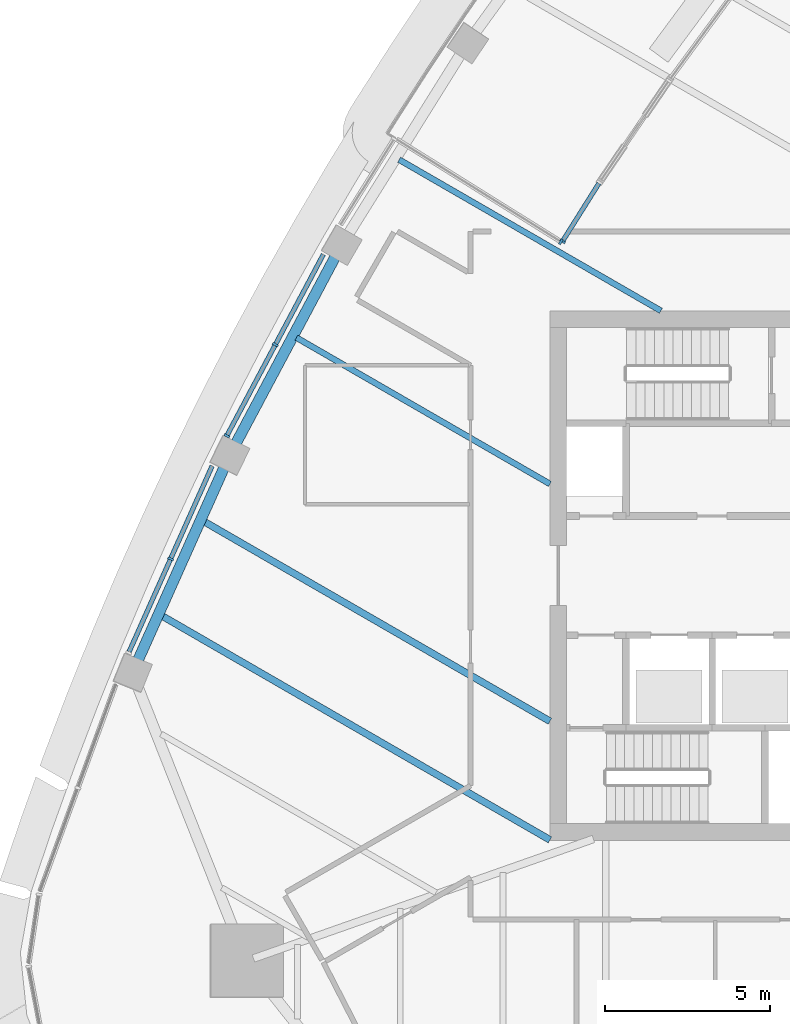
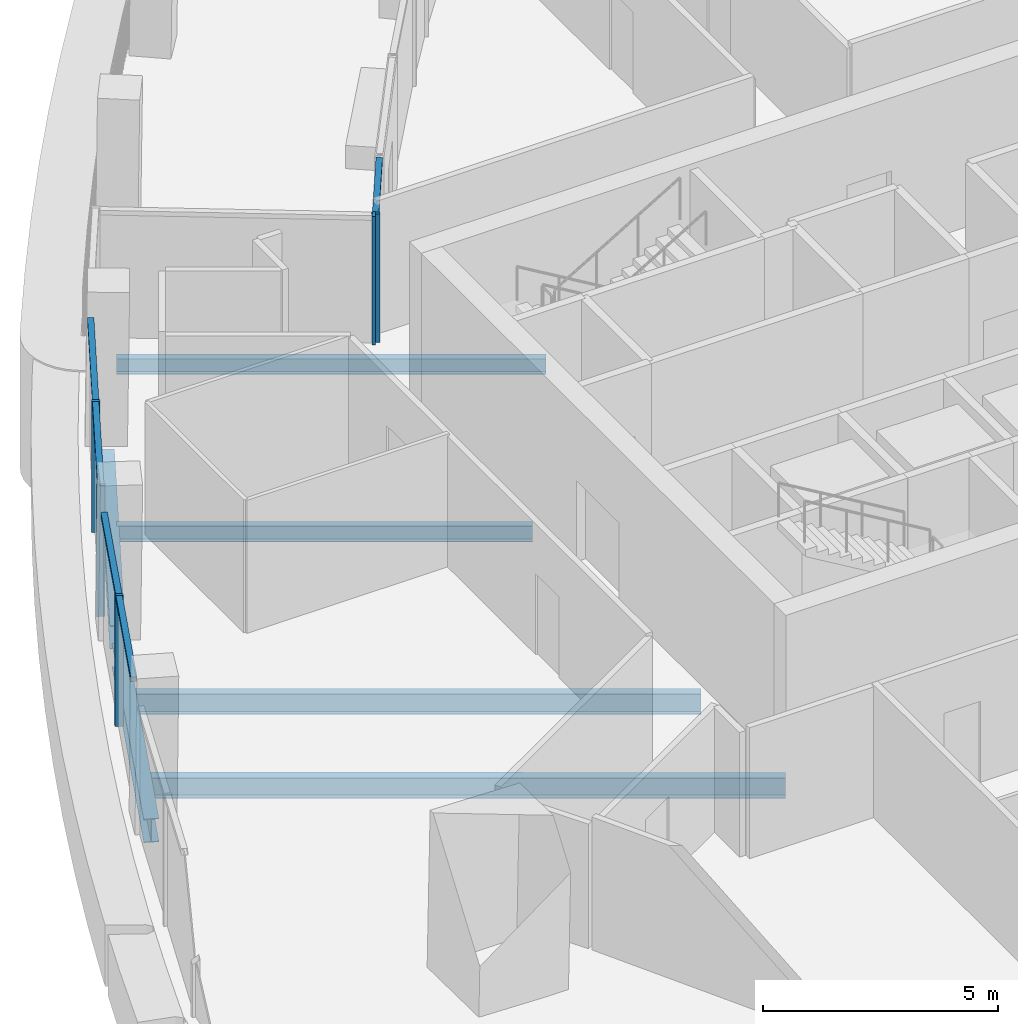
# One storey, part 3 of 18: 10 members, 6 beams, 4 elements without a shape of their own.
"""IFC4 building model written with IfcOpenShell, lengths in metres."""

from ifc_helpers import new_model, si_unit, direction, frame, origin, origin_2d, place, context, subcontext, project, spatial, rectangle, i_section, extrude, material, layer, layer_set, material_profile, profile_set, type_object, element, aggregate, save


model = new_model("IFC4")

# Units and contexts
model_context = context("Model", 3, precision=1e-05, world=origin(), true_north=direction((0.0, 1.0)))
body_context = subcontext(model_context, "Body", "Model", "MODEL_VIEW")
ifc_project = project(units=[si_unit("LENGTHUNIT", "METRE"), si_unit("AREAUNIT", "SQUARE_METRE"), si_unit("VOLUMEUNIT", "CUBIC_METRE"), si_unit("PLANEANGLEUNIT", "RADIAN"), si_unit("MASSUNIT", "GRAM", prefix="KILO")], contexts=[model_context])

# Site, building, storey
site_placement = place(None, origin())
site = spatial("IfcSite", under=ifc_project, at=site_placement, CompositionType="ELEMENT")
building_placement = place(site_placement, origin())
building = spatial("IfcBuilding", under=site, at=building_placement, Name="Sierra Prisma Convention Tower", CompositionType="ELEMENT")
storey_placement = place(building_placement, frame((0.0, 0.0, 307.0)))
storey = spatial("IfcBuildingStorey", under=building, at=storey_placement, Name="L70", CompositionType="ELEMENT", Elevation=307.0)

# Curtain wall, members
ifc_material_1 = material(Name="Aluminium and glass curtain wall", Category="aluminium")
ifc_layer_1 = layer(ifc_material_1, 0.179931640625)
ifc_layer_set_1 = layer_set([ifc_layer_1], Name="CW-1 Plain shaft curtain wall")
curtain_wall_type_1 = type_object("IfcCurtainWallType", Name="CW-1 Plain shaft curtain wall", PredefinedType="NOTDEFINED", material=ifc_layer_set_1)
curtain_wall_1_placement = place(storey_placement, origin())
curtain_wall_1 = element("IfcCurtainWall", 1, at=curtain_wall_1_placement, inside=storey, type_object=curtain_wall_type_1, Name="CW-1 NW4 L70", PredefinedType="NOTDEFINED")
ifc_material_2 = material(Name="Aluminium 6063-T6 bronze anodised", Category="aluminium")
ifc_material_profile_1 = material_profile(ifc_material_2, rectangle(XDim=0.179931640625, YDim=0.070068359375, at=origin_2d()), Name="ALU MULLION 70x180")
ifc_profile_set_1 = profile_set([ifc_material_profile_1], Name="Aluminium 6063-T6 bronze anodised")
member_type_1 = type_object("IfcMemberType", Name="CW mullion bronze", PredefinedType="MULLION", material=ifc_profile_set_1)
member_1_placement = place(storey_placement, frame((-19.296142578125, 6.977783203125, 0.0), z_axis=(0.0, 0.0, 1.0), x_axis=(0.882755417558, -0.469832813639, 0.0)))
member_1 = element("IfcMember", 2, at=member_1_placement, type_object=member_type_1, Name="CW-1 mullion NW4.2", PredefinedType="MULLION", context=body_context, shape_type="SweptSolid", body=[
    extrude(rectangle(XDim=0.179931640625, YDim=0.070068359375, at=origin_2d()), origin(), (0.0, 0.0, 1.0), 3.39990234375),
])
member_2_placement = place(storey_placement, frame((-20.76318359375, 4.221435546875, 0.0), z_axis=(0.0, 0.0, 1.0), x_axis=(0.882755417558, -0.469832813639, 0.0)))
member_2 = element("IfcMember", 3, at=member_2_placement, type_object=member_type_1, Name="CW-1 mullion NW4.3", PredefinedType="MULLION", context=body_context, shape_type="SweptSolid", body=[
    extrude(rectangle(XDim=0.179931640625, YDim=0.070068359375, at=origin_2d()), origin(), (0.0, 0.0, 1.0), 3.39990234375),
])

# Curtain wall, member
curtain_wall_2_placement = place(storey_placement, origin())
curtain_wall_2 = element("IfcCurtainWall", 4, at=curtain_wall_2_placement, inside=storey, type_object=curtain_wall_type_1, Name="CW-1 NW5 L70", PredefinedType="NOTDEFINED")
member_3_placement = place(storey_placement, frame((-22.461669921875, 0.50341796875, 0.0), z_axis=(0.0, 0.0, 1.0), x_axis=(0.913045476115, -0.407857767545, 0.0)))
member_3 = element("IfcMember", 5, at=member_3_placement, type_object=member_type_1, Name="CW-1 mullion NW5.2", PredefinedType="MULLION", context=body_context, shape_type="SweptSolid", body=[
    extrude(rectangle(XDim=0.179931640625, YDim=0.070068359375, at=origin_2d()), origin(), (0.0, 0.0, 1.0), 3.39990234375),
])

ifc_material_3 = material(Name="Aluminium and glass curtain wall", Category="aluminium")
ifc_layer_2 = layer(ifc_material_3, 0.179931640625)
ifc_layer_set_2 = layer_set([ifc_layer_2], Name="CW-6 Terrace recess curtain wall")
curtain_wall_type_2 = type_object("IfcCurtainWallType", Name="CW-6 Terrace recess curtain wall", PredefinedType="NOTDEFINED", material=ifc_layer_set_2)
curtain_wall_3_placement = place(storey_placement, origin())
curtain_wall_3 = element("IfcCurtainWall", 6, at=curtain_wall_3_placement, inside=storey, type_object=curtain_wall_type_2, Name="CW-6 R28 L70", PredefinedType="NOTDEFINED")
member_4_placement = place(storey_placement, frame((-10.62109375, 10.09814453125, 0.0), z_axis=(0.0, 0.0, 1.0), x_axis=(0.846599886402, -0.532229867956, 0.0)))
member_4 = element("IfcMember", 7, at=member_4_placement, type_object=member_type_1, Name="CW-6 mullion R28.2", PredefinedType="MULLION", context=body_context, shape_type="SweptSolid", body=[
    extrude(rectangle(XDim=0.179931640625, YDim=0.070068359375, at=origin_2d()), origin(), (0.0, 0.0, 1.0), 3.340087890625),
])

curtain_wall_4_placement = place(storey_placement, origin())
curtain_wall_4 = element("IfcCurtainWall", 8, at=curtain_wall_4_placement, inside=storey, type_object=curtain_wall_type_2, Name="CW-6 RT2 L70", PredefinedType="NOTDEFINED")
member_5_placement = place(storey_placement, frame((-10.66943359375, 10.087158203125, 0.0), z_axis=(0.0, 0.0, 1.0), x_axis=(-0.529572210114, -0.848264860922, 0.0)))
member_5 = element("IfcMember", 9, at=member_5_placement, type_object=member_type_1, Name="CW-6 mullion RT2.1", PredefinedType="MULLION", context=body_context, shape_type="SweptSolid", body=[
    extrude(rectangle(XDim=0.179931640625, YDim=0.070068359375, at=origin_2d()), origin(), (0.0, 0.0, 1.0), 3.340087890625),
])
aggregate(curtain_wall_4, [member_5])

# Member
ifc_material_4 = material(Name="Aluminium 6063-T6 bronze anodised", Category="aluminium")
ifc_material_profile_2 = material_profile(ifc_material_4, rectangle(XDim=0.139892578125, YDim=0.1201171875, at=origin_2d()), Name="ALU TRANSOM 120x140")
ifc_profile_set_2 = profile_set([ifc_material_profile_2], Name="Aluminium 6063-T6 bronze anodised")
member_type_2 = type_object("IfcMemberType", Name="CW transom bronze", PredefinedType="USERDEFINED", material=ifc_profile_set_2)
member_6_placement = place(storey_placement, frame((-17.845703125, 9.703125, 3.340087890625), z_axis=(-0.469815907843, -0.882764415197, 0.0), x_axis=(0.882764415197, -0.469815907843, 0.0)))
member_6 = element("IfcMember", 10, at=member_6_placement, type_object=member_type_2, Name="CW-1 transom NW4.1", ObjectType="TRANSOM", PredefinedType="USERDEFINED", context=body_context, shape_type="SweptSolid", body=[
    extrude(rectangle(XDim=0.139892578125, YDim=0.1201171875, at=origin_2d()), origin(), (0.0, 0.0, 1.0), 3.052490234375),
])

member_7_placement = place(storey_placement, frame((-19.312744140625, 6.94677734375, 3.340087890625), z_axis=(-0.469815907843, -0.882764415197, 0.0), x_axis=(0.882764415197, -0.469815907843, 0.0)))
member_7 = element("IfcMember", 11, at=member_7_placement, type_object=member_type_2, Name="CW-1 transom NW4.2", ObjectType="TRANSOM", PredefinedType="USERDEFINED", context=body_context, shape_type="SweptSolid", body=[
    extrude(rectangle(XDim=0.139892578125, YDim=0.1201171875, at=origin_2d()), origin(), (0.0, 0.0, 1.0), 3.052490234375),
])

aggregate(curtain_wall_1, [member_1, member_2, member_6, member_7])

member_8_placement = place(storey_placement, frame((-21.208740234375, 3.307861328125, 3.340087890625), z_axis=(-0.407875891828, -0.913037379775, 0.0), x_axis=(0.913037379775, -0.407875891828, 0.0)))
member_8 = element("IfcMember", 12, at=member_8_placement, type_object=member_type_2, Name="CW-1 transom NW5.1", ObjectType="TRANSOM", PredefinedType="USERDEFINED", context=body_context, shape_type="SweptSolid", body=[
    extrude(rectangle(XDim=0.139892578125, YDim=0.1201171875, at=origin_2d()), origin(), (0.0, 0.0, 1.0), 3.03662109375),
])

member_9_placement = place(storey_placement, frame((-22.475830078125, 0.471435546875, 3.340087890625), z_axis=(-0.407845951878, -0.913050754086, 0.0), x_axis=(0.913050754086, -0.407845951878, 0.0)))
member_9 = element("IfcMember", 13, at=member_9_placement, type_object=member_type_2, Name="CW-1 transom NW5.2", ObjectType="TRANSOM", PredefinedType="USERDEFINED", context=body_context, shape_type="SweptSolid", body=[
    extrude(rectangle(XDim=0.139892578125, YDim=0.1201171875, at=origin_2d()), origin(), (0.0, 0.0, 1.0), 3.036865234375),
])

aggregate(curtain_wall_2, [member_3, member_8, member_9])

member_10_placement = place(storey_placement, frame((-9.519775390625, 11.849853515625, 3.280029296875), z_axis=(-0.532230542475, -0.846599462353, 0.0), x_axis=(0.846599462353, -0.532230542475, 0.0)))
member_10 = element("IfcMember", 14, at=member_10_placement, type_object=member_type_2, Name="CW-6 transom R28.1", ObjectType="TRANSOM", PredefinedType="USERDEFINED", context=body_context, shape_type="SweptSolid", body=[
    extrude(rectangle(XDim=0.139892578125, YDim=0.1201171875, at=origin_2d()), origin(), (0.0, 0.0, 1.0), 2.033935546875),
])

aggregate(curtain_wall_3, [member_4, member_10])

# Beams
ifc_material_5 = material(Name="Steel ASTM A992 Gr 50", Category="steel")
ifc_material_profile_3 = material_profile(ifc_material_5, i_section(OverallWidth=0.177978515625, OverallDepth=0.406982421875, WebThickness=0.0078125, FlangeThickness=0.0126953125, at=origin_2d()), Name="W410x60")
ifc_profile_set_3 = profile_set([ifc_material_profile_3], Name="Steel ASTM A992 Gr 50")
beam_type_1 = type_object("IfcBeamType", Name="Floor joist W410x60", PredefinedType="JOIST", material=ifc_profile_set_3)
beam_1_placement = place(storey_placement, frame((-15.5556640625, 12.565673828125, -0.353515625), z_axis=(0.866024854666, -0.500000951101, 0.0), x_axis=(0.500000951101, 0.866024854666, 0.0)))
element("IfcBeam", 15, at=beam_1_placement, inside=storey, type_object=beam_type_1, Name="Floor joist L70 NW06", PredefinedType="JOIST", context=body_context, shape_type="SweptSolid", body=[
    extrude(i_section(OverallWidth=0.177978515625, OverallDepth=0.406982421875, WebThickness=0.0078125, FlangeThickness=0.0126953125, at=origin_2d()), origin(), (0.0, 0.0, 1.0), 9.13134765625),
])
beam_2_placement = place(storey_placement, frame((-18.66015625, 7.188720703125, -0.353515625), z_axis=(0.866036662867, -0.499980498189, 0.0), x_axis=(0.499980498189, 0.866036662867, 0.0)))
element("IfcBeam", 16, at=beam_2_placement, inside=storey, type_object=beam_type_1, Name="Floor joist L70 NW08", PredefinedType="JOIST", context=body_context, shape_type="SweptSolid", body=[
    extrude(i_section(OverallWidth=0.177978515625, OverallDepth=0.406982421875, WebThickness=0.0078125, FlangeThickness=0.0126953125, at=origin_2d()), origin(), (0.0, 0.0, 1.0), 8.844970703125),
])
ifc_material_6 = material(Name="Steel ASTM A992 Gr 50", Category="steel")
ifc_material_profile_4 = material_profile(ifc_material_6, i_section(OverallWidth=0.208984375, OverallDepth=0.532958984375, WebThickness=0.01025390625, FlangeThickness=0.015625, at=origin_2d()), Name="W530x92")
ifc_profile_set_4 = profile_set([ifc_material_profile_4], Name="Steel ASTM A992 Gr 50")
beam_type_2 = type_object("IfcBeamType", Name="Floor joist W530x92", PredefinedType="JOIST", material=ifc_profile_set_4)
beam_3_placement = place(storey_placement, frame((-21.451171875, 1.631103515625, -0.41650390625), z_axis=(0.866027246226, -0.499996808785, 0.0), x_axis=(0.499996808785, 0.866027246226, 0.0)))
element("IfcBeam", 17, at=beam_3_placement, inside=storey, type_object=beam_type_2, Name="Floor joist L70 NW10", PredefinedType="JOIST", context=body_context, shape_type="SweptSolid", body=[
    extrude(i_section(OverallWidth=0.208984375, OverallDepth=0.532958984375, WebThickness=0.01025390625, FlangeThickness=0.015625, at=origin_2d()), origin(), (0.0, 0.0, 1.0), 12.06787109375),
])
beam_4_placement = place(storey_placement, frame((-22.72412109375, -1.218505859375, -0.41650390625), z_axis=(0.866021613537, -0.500006564844, 0.0), x_axis=(0.500006564844, 0.866021613537, 0.0)))
element("IfcBeam", 18, at=beam_4_placement, inside=storey, type_object=beam_type_2, Name="Floor joist L70 NW11", PredefinedType="JOIST", context=body_context, shape_type="SweptSolid", body=[
    extrude(i_section(OverallWidth=0.208984375, OverallDepth=0.532958984375, WebThickness=0.01025390625, FlangeThickness=0.015625, at=origin_2d()), origin(), (0.0, 0.0, 1.0), 13.537841796875),
])
ifc_material_7 = material(Name="Steel ASTM A992 Gr 50", Category="steel")
ifc_material_profile_5 = material_profile(ifc_material_7, i_section(OverallWidth=0.324951171875, OverallDepth=0.615966796875, WebThickness=0.013916015625, FlangeThickness=0.021484375, at=origin_2d()), Name="W610x174")
ifc_profile_set_5 = profile_set([ifc_material_profile_5], Name="Steel ASTM A992 Gr 50")
beam_type_3 = type_object("IfcBeamType", Name="Spandrel beam W610x174", PredefinedType="BEAM", material=ifc_profile_set_5)
beam_5_placement = place(storey_placement, frame((-17.453369140625, 9.695556640625, -0.4580078125), z_axis=(-0.469832665411, -0.88275549645, 0.0), x_axis=(0.88275549645, -0.469832665411, 0.0)))
element("IfcBeam", 19, at=beam_5_placement, inside=storey, type_object=beam_type_3, Name="Spandrel L70-16", PredefinedType="BEAM", context=body_context, shape_type="SweptSolid", body=[
    extrude(i_section(OverallWidth=0.324951171875, OverallDepth=0.615966796875, WebThickness=0.013916015625, FlangeThickness=0.021484375, at=origin_2d()), origin(), (0.0, 0.0, 1.0), 6.542236328125),
])
beam_6_placement = place(storey_placement, frame((-20.81689453125, 3.327392578125, -0.4580078125), z_axis=(-0.407889759228, -0.913031184745, 0.0), x_axis=(0.913031184745, -0.407889759228, 0.0)))
element("IfcBeam", 20, at=beam_6_placement, inside=storey, type_object=beam_type_3, Name="Spandrel L70-17", PredefinedType="BEAM", context=body_context, shape_type="SweptSolid", body=[
    extrude(i_section(OverallWidth=0.324951171875, OverallDepth=0.615966796875, WebThickness=0.013916015625, FlangeThickness=0.021484375, at=origin_2d()), origin(), (0.0, 0.0, 1.0), 6.5419921875),
])

save(model, "model.ifc")
